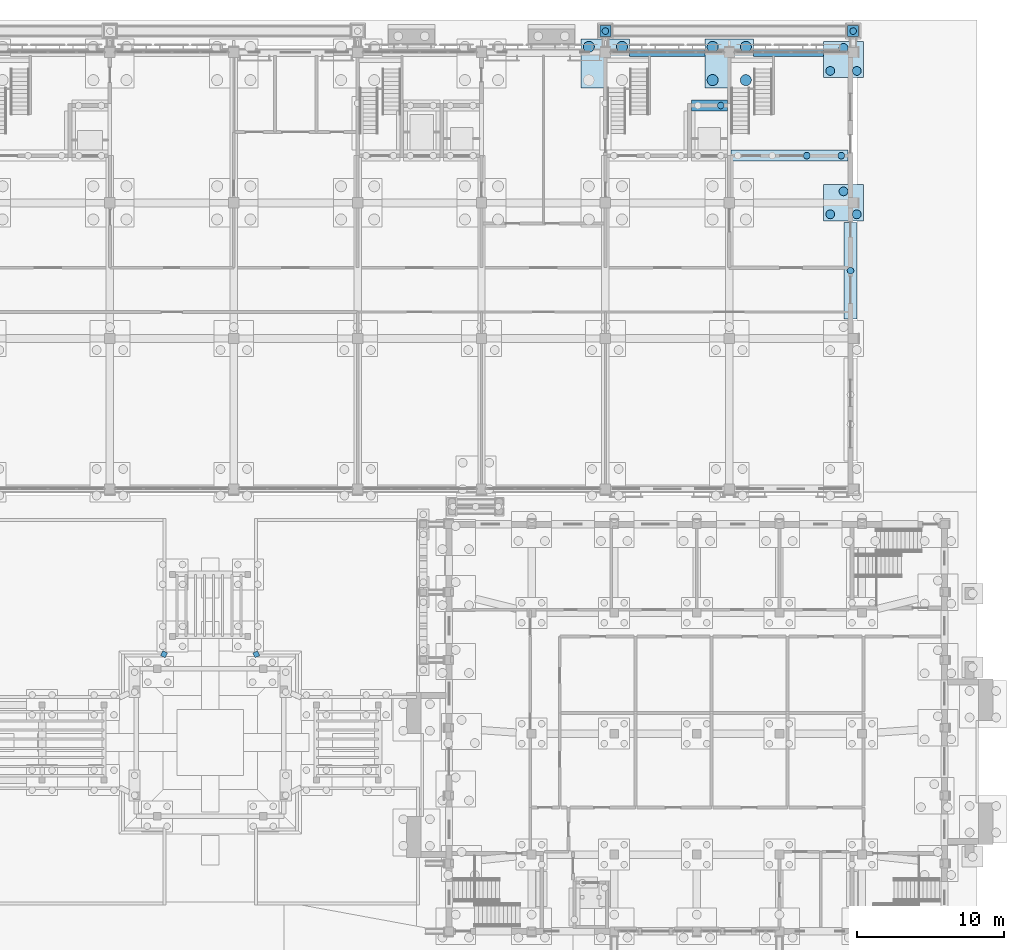
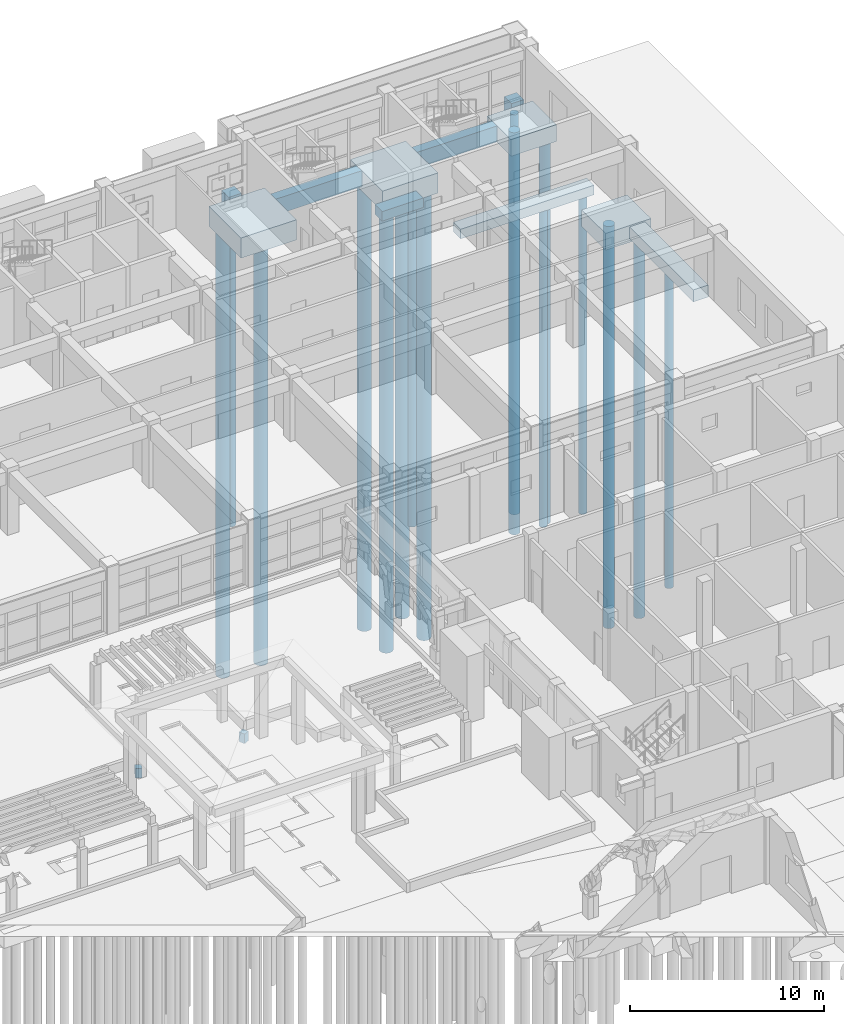
# One storey, part 11 of 112: 18 piles, 13 footings.
"""IFC4 building model written with IfcOpenShell, lengths in metres."""

from ifc_helpers import new_model, si_unit, direction, frame, origin, origin_2d, place, context, subcontext, project, spatial, rectangle, circle, extrude, material, material_profile, profile_set, type_object, element, save


model = new_model("IFC4")

# Units and contexts
model_context = context("Model", 3, precision=1e-05, world=origin(), true_north=direction((0.0, 1.0)))
body_context = subcontext(model_context, "Body", "Model", "MODEL_VIEW")
ifc_project = project(units=[si_unit("LENGTHUNIT", "METRE"), si_unit("AREAUNIT", "SQUARE_METRE"), si_unit("VOLUMEUNIT", "CUBIC_METRE"), si_unit("PLANEANGLEUNIT", "RADIAN"), si_unit("MASSUNIT", "GRAM", prefix="KILO")], contexts=[model_context])

# Site, building, storey
site_placement = place(None, origin())
site = spatial("IfcSite", under=ifc_project, at=site_placement, CompositionType="ELEMENT")
building_placement = place(site_placement, origin())
building = spatial("IfcBuilding", under=site, at=building_placement, Name="Wasatch Bagh Community Centre", CompositionType="ELEMENT")
storey_placement = place(building_placement, origin())
storey = spatial("IfcBuildingStorey", under=building, at=storey_placement, Name="L00", CompositionType="ELEMENT", Elevation=0.0)

# Footings
ifc_material_1 = material(Name="Concrete C35", Category="concrete")
footing_type_1 = type_object("IfcFootingType", Name="FD-GB-D", PredefinedType="FOOTING_BEAM", material=ifc_material_1)
footing_1_placement = place(storey_placement, frame((127.0, 97.800048828125, -1.199951171875), z_axis=(0.0, 0.0, 1.0), x_axis=(1.0, 0.0, 0.0)))
element("IfcFooting", 1, at=footing_1_placement, inside=storey, type_object=footing_type_1, Name="GB ground beam 213", PredefinedType="FOOTING_BEAM", context=body_context, shape_type="SweptSolid", body=[
    extrude(rectangle(XDim=5.10009765625, YDim=0.550048828125, at=origin_2d()), origin(), (0.0, 0.0, 1.0), 1.0),
])
footing_2_placement = place(storey_placement, frame((135.22509765625, 97.800048828125, -1.199951171875), z_axis=(0.0, 0.0, 1.0), x_axis=(1.0, 0.0, 0.0)))
element("IfcFooting", 2, at=footing_2_placement, inside=storey, type_object=footing_type_1, Name="GB ground beam 214", PredefinedType="FOOTING_BEAM", context=body_context, shape_type="SweptSolid", body=[
    extrude(rectangle(XDim=4.75, YDim=0.550048828125, at=origin_2d()), origin(), (0.0, 0.0, 1.0), 1.0),
])
footing_type_2 = type_object("IfcFootingType", Name="FD-GB-S", PredefinedType="FOOTING_BEAM", material=ifc_material_1)
for number, where, z_axis, x_axis, name in (
    (3, (92.871337890625, 56.987548828125, -0.800048828125), (0.0, 0.0, 1.0), (-0.430729586222, -0.90248103778, 0.0), "GB ground beam 331"),
    (4, (99.128662109375, 56.987548828125, -0.800048828125), (0.0, 0.0, 1.0), (0.430729586222, -0.90248103778, 0.0), "GB ground beam 332"),
):
    element("IfcFooting", number, at=place(storey_placement, frame(where, z_axis=z_axis, x_axis=x_axis)), inside=storey, type_object=footing_type_2, Name=name, PredefinedType="FOOTING_BEAM", context=body_context, shape_type="SweptSolid", body=[
        extrude(rectangle(XDim=0.360107421875, YDim=0.35009765625, at=origin_2d()), origin(), (0.0, 0.0, 1.0), 0.60009765625),
    ])

# Piles
ifc_material_2 = material(Name="Concrete C30", Category="concrete")
ifc_material_profile_1 = material_profile(ifc_material_2, circle(Radius=0.22509765625, at=origin_2d()), Name="RC D450")
ifc_profile_set_1 = profile_set([ifc_material_profile_1], Name="Concrete C30")
pile_type_1 = type_object("IfcPileType", Name="FD-P450", PredefinedType="BORED", material=ifc_profile_set_1)
for number, where, z_axis, x_axis, name in (
    (5, (122.800048828125, 99.25, -1.10009765625), (0.0, 0.0, -1.0), (1.0, 0.0, 0.0), "P pile 23.1"),
    (6, (139.60009765625, 99.25, -1.10009765625), (0.0, 0.0, -1.0), (1.0, 0.0, 0.0), "P pile 24.1"),
    (7, (136.458251953125, 90.800048828125, -0.800048828125), (0.0, 0.0, -1.0), (1.0, 0.0, 0.0), "P pile SF29.3"),
    (8, (138.800048828125, 90.800048828125, -0.800048828125), (0.0, 0.0, -1.0), (1.0, 0.0, 0.0), "P pile SF29.4"),
    (9, (130.625, 94.199951171875, -0.800048828125), (0.0, 0.0, -1.0), (1.0, 0.0, 0.0), "P pile SF33.2"),
    (10, (139.425048828125, 83.0, -0.949951171875), (0.0, 0.0, -1.0), (1.0, 0.0, 0.0), "P pile SF45.1"),
):
    element("IfcPile", number, at=place(storey_placement, frame(where, z_axis=z_axis, x_axis=x_axis)), inside=storey, type_object=pile_type_1, Name=name, PredefinedType="BORED", context=body_context, shape_type="SweptSolid", body=[
        extrude(circle(Radius=0.22509765625, at=origin_2d()), origin(), (0.0, 0.0, 1.0), 20.0),
    ])
ifc_material_profile_2 = material_profile(ifc_material_2, circle(Radius=0.300048828125, at=origin_2d()), Name="RC D600")
ifc_profile_set_2 = profile_set([ifc_material_profile_2], Name="Concrete C30")
pile_type_2 = type_object("IfcPileType", Name="FD-P600", PredefinedType="BORED", material=ifc_profile_set_2)
for number, where, z_axis, x_axis, name in (
    (11, (138.050048828125, 86.820556640625, -1.25), (0.0, 0.0, -1.0), (1.0, 0.0, 0.0), "P pile 200.1"),
    (12, (139.85009765625, 86.820556640625, -1.25), (0.0, 0.0, -1.0), (1.0, 0.0, 0.0), "P pile 200.2"),
    (13, (138.949951171875, 88.37939453125, -1.25), (0.0, 0.0, -1.0), (1.0, 0.0, 0.0), "P pile 200.3"),
    (14, (138.050048828125, 96.54541015625, -1.25), (0.0, 0.0, -1.0), (1.0, 0.0, 0.0), "P pile 209.1"),
    (15, (139.85009765625, 96.54541015625, -1.25), (0.0, 0.0, -1.0), (1.0, 0.0, 0.0), "P pile 209.2"),
    (16, (138.949951171875, 98.1044921875, -1.25), (0.0, 0.0, -1.0), (1.0, 0.0, 0.0), "P pile 209.3"),
):
    element("IfcPile", number, at=place(storey_placement, frame(where, z_axis=z_axis, x_axis=x_axis)), inside=storey, type_object=pile_type_2, Name=name, PredefinedType="BORED", context=body_context, shape_type="SweptSolid", body=[
        extrude(circle(Radius=0.300048828125, at=origin_2d()), origin(), (0.0, 0.0, 1.0), 24.0),
    ])
ifc_material_profile_3 = material_profile(ifc_material_2, circle(Radius=0.375, at=origin_2d()), Name="RC D750")
ifc_profile_set_3 = profile_set([ifc_material_profile_3], Name="Concrete C30")
pile_type_3 = type_object("IfcPileType", Name="FD-P750", PredefinedType="BORED", material=ifc_profile_set_3)
for number, where, z_axis, x_axis, name in (
    (17, (121.675048828125, 98.175048828125, -1.469970703125), (0.0, 0.0, -1.0), (1.0, 0.0, 0.0), "P pile 207.3"),
    (18, (123.925048828125, 98.175048828125, -1.469970703125), (0.0, 0.0, -1.0), (1.0, 0.0, 0.0), "P pile 207.4"),
    (19, (130.074951171875, 95.925048828125, -1.469970703125), (0.0, 0.0, -1.0), (1.0, 0.0, 0.0), "P pile 208.1"),
    (20, (132.324951171875, 95.925048828125, -1.469970703125), (0.0, 0.0, -1.0), (1.0, 0.0, 0.0), "P pile 208.2"),
    (21, (130.074951171875, 98.175048828125, -1.469970703125), (0.0, 0.0, -1.0), (1.0, 0.0, 0.0), "P pile 208.3"),
    (22, (132.324951171875, 98.175048828125, -1.469970703125), (0.0, 0.0, -1.0), (1.0, 0.0, 0.0), "P pile 208.4"),
):
    element("IfcPile", number, at=place(storey_placement, frame(where, z_axis=z_axis, x_axis=x_axis)), inside=storey, type_object=pile_type_3, Name=name, PredefinedType="BORED", context=body_context, shape_type="SweptSolid", body=[
        extrude(circle(Radius=0.375, at=origin_2d()), origin(), (0.0, 0.0, 1.0), 28.0),
    ])

# Footings
footing_type_3 = type_object("IfcFootingType", Name="FD-PC1", PredefinedType="PILE_CAP", material=ifc_material_2)
for number, where, z_axis, x_axis, name in (
    (23, (122.800048828125, 99.25, -1.099853515625), (0.0, 0.0, 1.0), (1.0, 0.0, 0.0), "PC cap 23"),
    (24, (139.60009765625, 99.25, -1.099853515625), (0.0, 0.0, 1.0), (1.0, 0.0, 0.0), "PC cap 24"),
):
    element("IfcFooting", number, at=place(storey_placement, frame(where, z_axis=z_axis, x_axis=x_axis)), inside=storey, type_object=footing_type_3, Name=name, PredefinedType="PILE_CAP", context=body_context, shape_type="SweptSolid", body=[
        extrude(rectangle(XDim=0.75, YDim=0.75, at=origin_2d()), origin(), (0.0, 0.0, 1.0), 0.89990234375),
    ])
footing_type_4 = type_object("IfcFootingType", Name="FD-PC5", PredefinedType="PILE_CAP", material=ifc_material_2)
for number, where, z_axis, x_axis, name in (
    (25, (138.949951171875, 87.60009765625, -1.25), (0.0, 0.0, 1.0), (1.0, 0.0, 0.0), "PC cap 200"),
    (26, (138.949951171875, 97.324951171875, -1.25), (0.0, 0.0, 1.0), (1.0, 0.0, 0.0), "PC cap 209"),
):
    element("IfcFooting", number, at=place(storey_placement, frame(where, z_axis=z_axis, x_axis=x_axis)), inside=storey, type_object=footing_type_4, Name=name, PredefinedType="PILE_CAP", context=body_context, shape_type="SweptSolid", body=[
        extrude(rectangle(XDim=2.699951171875, YDim=2.458984375, at=origin_2d()), origin(), (0.0, 0.0, 1.0), 1.050048828125),
    ])
footing_type_5 = type_object("IfcFootingType", Name="FD-PC8", PredefinedType="PILE_CAP", material=ifc_material_2)
for number, where, z_axis, x_axis, name in (
    (27, (122.800048828125, 97.050048828125, -1.469970703125), (0.0, 0.0, 1.0), (1.0, 0.0, 0.0), "PC cap 207"),
    (28, (131.199951171875, 97.050048828125, -1.469970703125), (0.0, 0.0, 1.0), (1.0, 0.0, 0.0), "PC cap 208"),
):
    element("IfcFooting", number, at=place(storey_placement, frame(where, z_axis=z_axis, x_axis=x_axis)), inside=storey, type_object=footing_type_5, Name=name, PredefinedType="PILE_CAP", context=body_context, shape_type="SweptSolid", body=[
        extrude(rectangle(XDim=3.300048828125, YDim=3.300048828125, at=origin_2d()), origin(), (0.0, 0.0, 1.0), 1.27001953125),
    ])
footing_type_6 = type_object("IfcFootingType", Name="FD-SF3", PredefinedType="STRIP_FOOTING", material=ifc_material_2)
footing_3_placement = place(storey_placement, frame((135.28759765625, 90.800048828125, -0.800048828125), z_axis=(0.0, 0.0, 1.0), x_axis=(1.0, 0.0, 0.0)))
element("IfcFooting", 29, at=footing_3_placement, inside=storey, type_object=footing_type_6, Name="SF wall footing 29", PredefinedType="STRIP_FOOTING", context=body_context, shape_type="SweptSolid", body=[
    extrude(rectangle(XDim=7.925048828125, YDim=0.75, at=origin_2d()), origin(), (0.0, 0.0, 1.0), 0.60009765625),
])
footing_4_placement = place(storey_placement, frame((129.85009765625, 94.199951171875, -0.800048828125), z_axis=(0.0, 0.0, 1.0), x_axis=(1.0, 0.0, 0.0)))
element("IfcFooting", 30, at=footing_4_placement, inside=storey, type_object=footing_type_6, Name="SF wall footing 33", PredefinedType="STRIP_FOOTING", context=body_context, shape_type="SweptSolid", body=[
    extrude(rectangle(XDim=2.449951171875, YDim=0.75, at=origin_2d()), origin(), (0.0, 0.0, 1.0), 0.60009765625),
])
footing_type_7 = type_object("IfcFootingType", Name="FD-SF4", PredefinedType="STRIP_FOOTING", material=ifc_material_2)
footing_5_placement = place(storey_placement, frame((139.425048828125, 83.0, -0.949951171875), z_axis=(0.0, 0.0, 1.0), x_axis=(0.0, -1.0, 0.0)))
element("IfcFooting", 31, at=footing_5_placement, inside=storey, type_object=footing_type_7, Name="SF wall footing 45", PredefinedType="STRIP_FOOTING", context=body_context, shape_type="SweptSolid", body=[
    extrude(rectangle(XDim=6.541015625, YDim=0.89990234375, at=origin_2d()), origin(), (0.0, 0.0, 1.0), 0.75),
])

save(model, "model.ifc")
